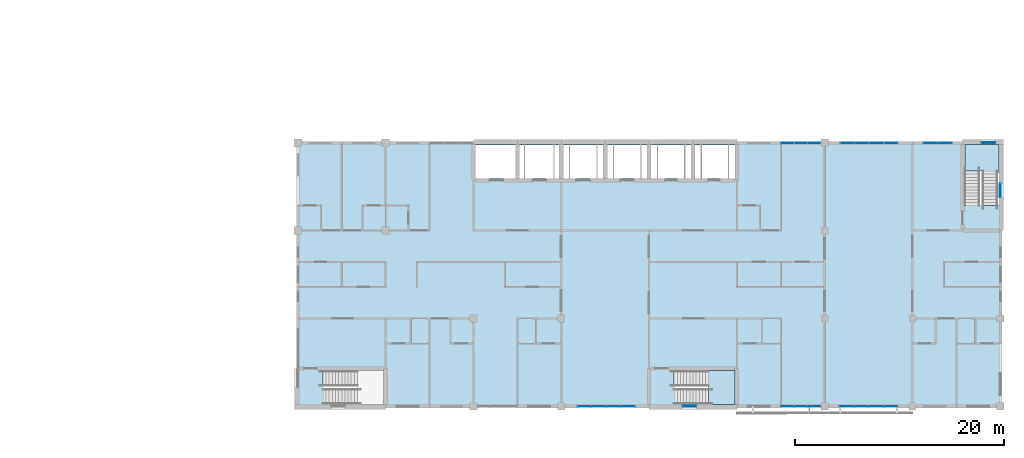
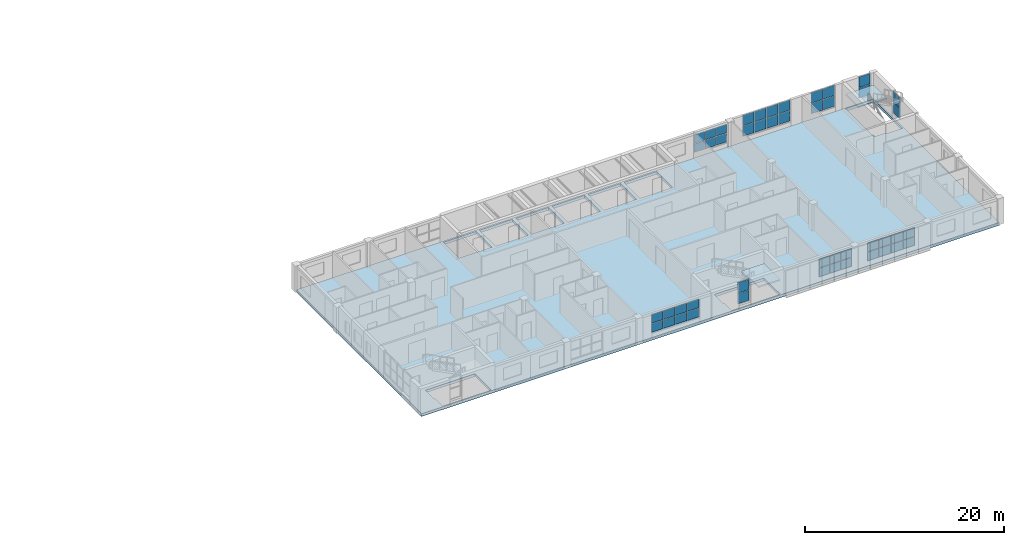
# One storey, part 25 of 48: 46 plates, 3 slabs, 11 elements without a shape of their own.
"""IFC4 building model written with IfcOpenShell, lengths in metres."""

from ifc_helpers import new_model, si_unit, direction, frame, origin, origin_2d, place, context, subcontext, project, spatial, polyline, rectangle, outline, extrude, material, layer, layer_set, type_object, element, aggregate, save


model = new_model("IFC4")

# Units and contexts
model_context = context("Model", 3, precision=1e-05, world=origin(), true_north=direction((0.0, 1.0)))
body_context = subcontext(model_context, "Body", "Model", "MODEL_VIEW")
ifc_project = project(units=[si_unit("LENGTHUNIT", "METRE"), si_unit("AREAUNIT", "SQUARE_METRE"), si_unit("VOLUMEUNIT", "CUBIC_METRE"), si_unit("PLANEANGLEUNIT", "RADIAN"), si_unit("MASSUNIT", "GRAM", prefix="KILO")], contexts=[model_context])

# Site, building, storey
site_placement = place(None, origin())
site = spatial("IfcSite", under=ifc_project, at=site_placement, CompositionType="ELEMENT")
building_placement = place(site_placement, origin())
building = spatial("IfcBuilding", under=site, at=building_placement, Name="Yavir Park General Hospital", CompositionType="ELEMENT")
storey_placement = place(building_placement, frame((0.0, 0.0, 26.10009765625)))
storey = spatial("IfcBuildingStorey", under=building, at=storey_placement, Name="L06", CompositionType="ELEMENT", Elevation=26.10009765625)

# Curtain wall, plates
ifc_material_1 = material(Name="Aluminium curtain wall frame with insulated glazing", Category="aluminium")
curtain_wall_type_1 = type_object("IfcCurtainWallType", Name="Day room pocket glazing, ward floors, 2300 high, 1400 module", PredefinedType="NOTDEFINED", material=ifc_material_1)
curtain_wall_1_placement = place(storey_placement, origin())
curtain_wall_1 = element("IfcCurtainWall", 1, at=curtain_wall_1_placement, inside=storey, type_object=curtain_wall_type_1, Name="CW63 L06-006", PredefinedType="NOTDEFINED")
ifc_material_2 = material(Name="Insulated glazed unit 30 mm, low-e coating")
ifc_layer_1 = layer(ifc_material_2, 0.030029296875)
ifc_layer_set_1 = layer_set([ifc_layer_1], Name="Insulated glazed unit 30 mm, low-e coating")
plate_type_1 = type_object("IfcPlateType", Name="Day room pocket glazing, ward floors, 2300 high panel 30", PredefinedType="CURTAIN_PANEL", material=ifc_layer_set_1)
plate_1_placement = place(storey_placement, frame((128.215087890625, 0.0, 0.659912109375), z_axis=(0.0, 0.0, 1.0), x_axis=(1.0, 0.0, 0.0)))
plate_1 = element("IfcPlate", 2, at=plate_1_placement, type_object=plate_type_1, Name="CW63 panel 1.1", PredefinedType="CURTAIN_PANEL", context=body_context, shape_type="SweptSolid", body=[
    extrude(rectangle(XDim=1.31005859375, YDim=0.030029296875, at=origin_2d()), origin(), (0.0, 0.0, 1.0), 1.06005859375),
])
plate_2_placement = place(storey_placement, frame((128.215087890625, 0.0, 1.77978515625), z_axis=(0.0, 0.0, 1.0), x_axis=(1.0, 0.0, 0.0)))
plate_2 = element("IfcPlate", 3, at=plate_2_placement, type_object=plate_type_1, Name="CW63 panel 1.2", PredefinedType="CURTAIN_PANEL", context=body_context, shape_type="SweptSolid", body=[
    extrude(rectangle(XDim=1.31005859375, YDim=0.030029296875, at=origin_2d()), origin(), (0.0, 0.0, 1.0), 1.06005859375),
])
plate_3_placement = place(storey_placement, frame((129.60009765625, 0.0, 0.659912109375), z_axis=(0.0, 0.0, 1.0), x_axis=(1.0, 0.0, 0.0)))
plate_3 = element("IfcPlate", 4, at=plate_3_placement, type_object=plate_type_1, Name="CW63 panel 2.1", PredefinedType="CURTAIN_PANEL", context=body_context, shape_type="SweptSolid", body=[
    extrude(rectangle(XDim=1.340087890625, YDim=0.030029296875, at=origin_2d()), origin(), (0.0, 0.0, 1.0), 1.06005859375),
])
plate_4_placement = place(storey_placement, frame((129.60009765625, 0.0, 1.77978515625), z_axis=(0.0, 0.0, 1.0), x_axis=(1.0, 0.0, 0.0)))
plate_4 = element("IfcPlate", 5, at=plate_4_placement, type_object=plate_type_1, Name="CW63 panel 2.2", PredefinedType="CURTAIN_PANEL", context=body_context, shape_type="SweptSolid", body=[
    extrude(rectangle(XDim=1.340087890625, YDim=0.030029296875, at=origin_2d()), origin(), (0.0, 0.0, 1.0), 1.06005859375),
])
plate_5_placement = place(storey_placement, frame((131.0, 0.0, 0.659912109375), z_axis=(0.0, 0.0, 1.0), x_axis=(1.0, 0.0, 0.0)))
plate_5 = element("IfcPlate", 6, at=plate_5_placement, type_object=plate_type_1, Name="CW63 panel 3.1", PredefinedType="CURTAIN_PANEL", context=body_context, shape_type="SweptSolid", body=[
    extrude(rectangle(XDim=1.340087890625, YDim=0.030029296875, at=origin_2d()), origin(), (0.0, 0.0, 1.0), 1.06005859375),
])
plate_6_placement = place(storey_placement, frame((131.0, 0.0, 1.77978515625), z_axis=(0.0, 0.0, 1.0), x_axis=(1.0, 0.0, 0.0)))
plate_6 = element("IfcPlate", 7, at=plate_6_placement, type_object=plate_type_1, Name="CW63 panel 3.2", PredefinedType="CURTAIN_PANEL", context=body_context, shape_type="SweptSolid", body=[
    extrude(rectangle(XDim=1.340087890625, YDim=0.030029296875, at=origin_2d()), origin(), (0.0, 0.0, 1.0), 1.06005859375),
])
plate_7_placement = place(storey_placement, frame((132.385009765625, 0.0, 0.659912109375), z_axis=(0.0, 0.0, 1.0), x_axis=(1.0, 0.0, 0.0)))
plate_7 = element("IfcPlate", 8, at=plate_7_placement, type_object=plate_type_1, Name="CW63 panel 4.1", PredefinedType="CURTAIN_PANEL", context=body_context, shape_type="SweptSolid", body=[
    extrude(rectangle(XDim=1.31005859375, YDim=0.030029296875, at=origin_2d()), origin(), (0.0, 0.0, 1.0), 1.06005859375),
])
plate_8_placement = place(storey_placement, frame((132.385009765625, 0.0, 1.77978515625), z_axis=(0.0, 0.0, 1.0), x_axis=(1.0, 0.0, 0.0)))
plate_8 = element("IfcPlate", 9, at=plate_8_placement, type_object=plate_type_1, Name="CW63 panel 4.2", PredefinedType="CURTAIN_PANEL", context=body_context, shape_type="SweptSolid", body=[
    extrude(rectangle(XDim=1.31005859375, YDim=0.030029296875, at=origin_2d()), origin(), (0.0, 0.0, 1.0), 1.06005859375),
])
aggregate(curtain_wall_1, [plate_1, plate_2, plate_3, plate_4, plate_5, plate_6, plate_7, plate_8])

curtain_wall_2_placement = place(storey_placement, origin())
curtain_wall_2 = element("IfcCurtainWall", 10, at=curtain_wall_2_placement, inside=storey, type_object=curtain_wall_type_1, Name="CW63 L06-008", PredefinedType="NOTDEFINED")
plate_9_placement = place(storey_placement, frame((147.65673828125, 0.0, 0.659912109375), z_axis=(0.0, 0.0, 1.0), x_axis=(1.0, 0.0, 0.0)))
plate_9 = element("IfcPlate", 11, at=plate_9_placement, type_object=plate_type_1, Name="CW63 panel 1.1", PredefinedType="CURTAIN_PANEL", context=body_context, shape_type="SweptSolid", body=[
    extrude(rectangle(XDim=1.193359375, YDim=0.030029296875, at=origin_2d()), origin(), (0.0, 0.0, 1.0), 1.06005859375),
])
plate_10_placement = place(storey_placement, frame((147.65673828125, 0.0, 1.77978515625), z_axis=(0.0, 0.0, 1.0), x_axis=(1.0, 0.0, 0.0)))
plate_10 = element("IfcPlate", 12, at=plate_10_placement, type_object=plate_type_1, Name="CW63 panel 1.2", PredefinedType="CURTAIN_PANEL", context=body_context, shape_type="SweptSolid", body=[
    extrude(rectangle(XDim=1.193359375, YDim=0.030029296875, at=origin_2d()), origin(), (0.0, 0.0, 1.0), 1.06005859375),
])
plate_11_placement = place(storey_placement, frame((148.925048828125, 0.0, 0.659912109375), z_axis=(0.0, 0.0, 1.0), x_axis=(1.0, 0.0, 0.0)))
plate_11 = element("IfcPlate", 13, at=plate_11_placement, type_object=plate_type_1, Name="CW63 panel 2.1", PredefinedType="CURTAIN_PANEL", context=body_context, shape_type="SweptSolid", body=[
    extrude(rectangle(XDim=1.223388671875, YDim=0.030029296875, at=origin_2d()), origin(), (0.0, 0.0, 1.0), 1.06005859375),
])
plate_12_placement = place(storey_placement, frame((148.925048828125, 0.0, 1.77978515625), z_axis=(0.0, 0.0, 1.0), x_axis=(1.0, 0.0, 0.0)))
plate_12 = element("IfcPlate", 14, at=plate_12_placement, type_object=plate_type_1, Name="CW63 panel 2.2", PredefinedType="CURTAIN_PANEL", context=body_context, shape_type="SweptSolid", body=[
    extrude(rectangle(XDim=1.223388671875, YDim=0.030029296875, at=origin_2d()), origin(), (0.0, 0.0, 1.0), 1.06005859375),
])
plate_13_placement = place(storey_placement, frame((150.193359375, 0.0, 0.659912109375), z_axis=(0.0, 0.0, 1.0), x_axis=(1.0, 0.0, 0.0)))
plate_13 = element("IfcPlate", 15, at=plate_13_placement, type_object=plate_type_1, Name="CW63 panel 3.1", PredefinedType="CURTAIN_PANEL", context=body_context, shape_type="SweptSolid", body=[
    extrude(rectangle(XDim=1.193359375, YDim=0.030029296875, at=origin_2d()), origin(), (0.0, 0.0, 1.0), 1.06005859375),
])
plate_14_placement = place(storey_placement, frame((150.193359375, 0.0, 1.77978515625), z_axis=(0.0, 0.0, 1.0), x_axis=(1.0, 0.0, 0.0)))
plate_14 = element("IfcPlate", 16, at=plate_14_placement, type_object=plate_type_1, Name="CW63 panel 3.2", PredefinedType="CURTAIN_PANEL", context=body_context, shape_type="SweptSolid", body=[
    extrude(rectangle(XDim=1.193359375, YDim=0.030029296875, at=origin_2d()), origin(), (0.0, 0.0, 1.0), 1.06005859375),
])
aggregate(curtain_wall_2, [plate_9, plate_10, plate_11, plate_12, plate_13, plate_14])

curtain_wall_3_placement = place(storey_placement, origin())
curtain_wall_3 = element("IfcCurtainWall", 17, at=curtain_wall_3_placement, inside=storey, type_object=curtain_wall_type_1, Name="CW63 L06-009", PredefinedType="NOTDEFINED")
plate_15_placement = place(storey_placement, frame((153.31494140625, 0.0, 0.659912109375), z_axis=(0.0, 0.0, 1.0), x_axis=(1.0, 0.0, 0.0)))
plate_15 = element("IfcPlate", 18, at=plate_15_placement, type_object=plate_type_1, Name="CW63 panel 1.1", PredefinedType="CURTAIN_PANEL", context=body_context, shape_type="SweptSolid", body=[
    extrude(rectangle(XDim=1.31005859375, YDim=0.030029296875, at=origin_2d()), origin(), (0.0, 0.0, 1.0), 1.06005859375),
])
plate_16_placement = place(storey_placement, frame((153.31494140625, 0.0, 1.77978515625), z_axis=(0.0, 0.0, 1.0), x_axis=(1.0, 0.0, 0.0)))
plate_16 = element("IfcPlate", 19, at=plate_16_placement, type_object=plate_type_1, Name="CW63 panel 1.2", PredefinedType="CURTAIN_PANEL", context=body_context, shape_type="SweptSolid", body=[
    extrude(rectangle(XDim=1.31005859375, YDim=0.030029296875, at=origin_2d()), origin(), (0.0, 0.0, 1.0), 1.06005859375),
])
plate_17_placement = place(storey_placement, frame((154.699951171875, 0.0, 0.659912109375), z_axis=(0.0, 0.0, 1.0), x_axis=(1.0, 0.0, 0.0)))
plate_17 = element("IfcPlate", 20, at=plate_17_placement, type_object=plate_type_1, Name="CW63 panel 2.1", PredefinedType="CURTAIN_PANEL", context=body_context, shape_type="SweptSolid", body=[
    extrude(rectangle(XDim=1.340087890625, YDim=0.030029296875, at=origin_2d()), origin(), (0.0, 0.0, 1.0), 1.06005859375),
])
plate_18_placement = place(storey_placement, frame((154.699951171875, 0.0, 1.77978515625), z_axis=(0.0, 0.0, 1.0), x_axis=(1.0, 0.0, 0.0)))
plate_18 = element("IfcPlate", 21, at=plate_18_placement, type_object=plate_type_1, Name="CW63 panel 2.2", PredefinedType="CURTAIN_PANEL", context=body_context, shape_type="SweptSolid", body=[
    extrude(rectangle(XDim=1.340087890625, YDim=0.030029296875, at=origin_2d()), origin(), (0.0, 0.0, 1.0), 1.06005859375),
])
plate_19_placement = place(storey_placement, frame((156.10009765625, 0.0, 0.659912109375), z_axis=(0.0, 0.0, 1.0), x_axis=(1.0, 0.0, 0.0)))
plate_19 = element("IfcPlate", 22, at=plate_19_placement, type_object=plate_type_1, Name="CW63 panel 3.1", PredefinedType="CURTAIN_PANEL", context=body_context, shape_type="SweptSolid", body=[
    extrude(rectangle(XDim=1.340087890625, YDim=0.030029296875, at=origin_2d()), origin(), (0.0, 0.0, 1.0), 1.06005859375),
])
plate_20_placement = place(storey_placement, frame((156.10009765625, 0.0, 1.77978515625), z_axis=(0.0, 0.0, 1.0), x_axis=(1.0, 0.0, 0.0)))
plate_20 = element("IfcPlate", 23, at=plate_20_placement, type_object=plate_type_1, Name="CW63 panel 3.2", PredefinedType="CURTAIN_PANEL", context=body_context, shape_type="SweptSolid", body=[
    extrude(rectangle(XDim=1.340087890625, YDim=0.030029296875, at=origin_2d()), origin(), (0.0, 0.0, 1.0), 1.06005859375),
])
plate_21_placement = place(storey_placement, frame((157.485107421875, 0.0, 0.659912109375), z_axis=(0.0, 0.0, 1.0), x_axis=(1.0, 0.0, 0.0)))
plate_21 = element("IfcPlate", 24, at=plate_21_placement, type_object=plate_type_1, Name="CW63 panel 4.1", PredefinedType="CURTAIN_PANEL", context=body_context, shape_type="SweptSolid", body=[
    extrude(rectangle(XDim=1.31005859375, YDim=0.030029296875, at=origin_2d()), origin(), (0.0, 0.0, 1.0), 1.06005859375),
])
plate_22_placement = place(storey_placement, frame((157.485107421875, 0.0, 1.77978515625), z_axis=(0.0, 0.0, 1.0), x_axis=(1.0, 0.0, 0.0)))
plate_22 = element("IfcPlate", 25, at=plate_22_placement, type_object=plate_type_1, Name="CW63 panel 4.2", PredefinedType="CURTAIN_PANEL", context=body_context, shape_type="SweptSolid", body=[
    extrude(rectangle(XDim=1.31005859375, YDim=0.030029296875, at=origin_2d()), origin(), (0.0, 0.0, 1.0), 1.06005859375),
])
aggregate(curtain_wall_3, [plate_15, plate_16, plate_17, plate_18, plate_19, plate_20, plate_21, plate_22])

curtain_wall_4_placement = place(storey_placement, origin())
curtain_wall_4 = element("IfcCurtainWall", 26, at=curtain_wall_4_placement, inside=storey, type_object=curtain_wall_type_1, Name="CW63 L06-012", PredefinedType="NOTDEFINED")
plate_23_placement = place(storey_placement, frame((147.65673828125, 25.199951171875, 0.659912109375), z_axis=(0.0, 0.0, 1.0), x_axis=(1.0, 0.0, 0.0)))
plate_23 = element("IfcPlate", 27, at=plate_23_placement, type_object=plate_type_1, Name="CW63 panel 1.1", PredefinedType="CURTAIN_PANEL", context=body_context, shape_type="SweptSolid", body=[
    extrude(rectangle(XDim=1.193359375, YDim=0.030029296875, at=origin_2d()), origin(), (0.0, 0.0, 1.0), 1.06005859375),
])
plate_24_placement = place(storey_placement, frame((147.65673828125, 25.199951171875, 1.77978515625), z_axis=(0.0, 0.0, 1.0), x_axis=(1.0, 0.0, 0.0)))
plate_24 = element("IfcPlate", 28, at=plate_24_placement, type_object=plate_type_1, Name="CW63 panel 1.2", PredefinedType="CURTAIN_PANEL", context=body_context, shape_type="SweptSolid", body=[
    extrude(rectangle(XDim=1.193359375, YDim=0.030029296875, at=origin_2d()), origin(), (0.0, 0.0, 1.0), 1.06005859375),
])
plate_25_placement = place(storey_placement, frame((148.925048828125, 25.199951171875, 0.659912109375), z_axis=(0.0, 0.0, 1.0), x_axis=(1.0, 0.0, 0.0)))
plate_25 = element("IfcPlate", 29, at=plate_25_placement, type_object=plate_type_1, Name="CW63 panel 2.1", PredefinedType="CURTAIN_PANEL", context=body_context, shape_type="SweptSolid", body=[
    extrude(rectangle(XDim=1.223388671875, YDim=0.030029296875, at=origin_2d()), origin(), (0.0, 0.0, 1.0), 1.06005859375),
])
plate_26_placement = place(storey_placement, frame((148.925048828125, 25.199951171875, 1.77978515625), z_axis=(0.0, 0.0, 1.0), x_axis=(1.0, 0.0, 0.0)))
plate_26 = element("IfcPlate", 30, at=plate_26_placement, type_object=plate_type_1, Name="CW63 panel 2.2", PredefinedType="CURTAIN_PANEL", context=body_context, shape_type="SweptSolid", body=[
    extrude(rectangle(XDim=1.223388671875, YDim=0.030029296875, at=origin_2d()), origin(), (0.0, 0.0, 1.0), 1.06005859375),
])
plate_27_placement = place(storey_placement, frame((150.193359375, 25.199951171875, 0.659912109375), z_axis=(0.0, 0.0, 1.0), x_axis=(1.0, 0.0, 0.0)))
plate_27 = element("IfcPlate", 31, at=plate_27_placement, type_object=plate_type_1, Name="CW63 panel 3.1", PredefinedType="CURTAIN_PANEL", context=body_context, shape_type="SweptSolid", body=[
    extrude(rectangle(XDim=1.193359375, YDim=0.030029296875, at=origin_2d()), origin(), (0.0, 0.0, 1.0), 1.06005859375),
])
plate_28_placement = place(storey_placement, frame((150.193359375, 25.199951171875, 1.77978515625), z_axis=(0.0, 0.0, 1.0), x_axis=(1.0, 0.0, 0.0)))
plate_28 = element("IfcPlate", 32, at=plate_28_placement, type_object=plate_type_1, Name="CW63 panel 3.2", PredefinedType="CURTAIN_PANEL", context=body_context, shape_type="SweptSolid", body=[
    extrude(rectangle(XDim=1.193359375, YDim=0.030029296875, at=origin_2d()), origin(), (0.0, 0.0, 1.0), 1.06005859375),
])
aggregate(curtain_wall_4, [plate_23, plate_24, plate_25, plate_26, plate_27, plate_28])

ifc_material_3 = material(Name="Aluminium curtain wall frame with insulated glazing", Category="aluminium")
curtain_wall_type_2 = type_object("IfcCurtainWallType", Name="Day room pocket glazing, ward floors, 2700 high, 1400 module", PredefinedType="NOTDEFINED", material=ifc_material_3)
curtain_wall_5_placement = place(storey_placement, origin())
curtain_wall_5 = element("IfcCurtainWall", 33, at=curtain_wall_5_placement, inside=storey, type_object=curtain_wall_type_2, Name="CW65 L06-013", PredefinedType="NOTDEFINED")
ifc_material_4 = material(Name="Insulated glazed unit 30 mm, low-e coating")
ifc_layer_2 = layer(ifc_material_4, 0.030029296875)
ifc_layer_set_2 = layer_set([ifc_layer_2], Name="Insulated glazed unit 30 mm, low-e coating")
plate_type_2 = type_object("IfcPlateType", Name="Day room pocket glazing, ward floors, 2700 high panel 30", PredefinedType="CURTAIN_PANEL", material=ifc_layer_set_2)
plate_29_placement = place(storey_placement, frame((153.364990234375, 25.199951171875, 0.65966796875), z_axis=(0.0, 0.0, 1.0), x_axis=(1.0, 0.0, 0.0)))
plate_29 = element("IfcPlate", 34, at=plate_29_placement, type_object=plate_type_2, Name="CW65 panel 1.1", PredefinedType="CURTAIN_PANEL", context=body_context, shape_type="SweptSolid", body=[
    extrude(rectangle(XDim=1.31005859375, YDim=0.030029296875, at=origin_2d()), origin(), (0.0, 0.0, 1.0), 1.260009765625),
])
plate_30_placement = place(storey_placement, frame((153.364990234375, 25.199951171875, 1.97998046875), z_axis=(0.0, 0.0, 1.0), x_axis=(1.0, 0.0, 0.0)))
plate_30 = element("IfcPlate", 35, at=plate_30_placement, type_object=plate_type_2, Name="CW65 panel 1.2", PredefinedType="CURTAIN_PANEL", context=body_context, shape_type="SweptSolid", body=[
    extrude(rectangle(XDim=1.31005859375, YDim=0.030029296875, at=origin_2d()), origin(), (0.0, 0.0, 1.0), 1.260009765625),
])
plate_31_placement = place(storey_placement, frame((154.75, 25.199951171875, 0.65966796875), z_axis=(0.0, 0.0, 1.0), x_axis=(1.0, 0.0, 0.0)))
plate_31 = element("IfcPlate", 36, at=plate_31_placement, type_object=plate_type_2, Name="CW65 panel 2.1", PredefinedType="CURTAIN_PANEL", context=body_context, shape_type="SweptSolid", body=[
    extrude(rectangle(XDim=1.340087890625, YDim=0.030029296875, at=origin_2d()), origin(), (0.0, 0.0, 1.0), 1.260009765625),
])
plate_32_placement = place(storey_placement, frame((154.75, 25.199951171875, 1.97998046875), z_axis=(0.0, 0.0, 1.0), x_axis=(1.0, 0.0, 0.0)))
plate_32 = element("IfcPlate", 37, at=plate_32_placement, type_object=plate_type_2, Name="CW65 panel 2.2", PredefinedType="CURTAIN_PANEL", context=body_context, shape_type="SweptSolid", body=[
    extrude(rectangle(XDim=1.340087890625, YDim=0.030029296875, at=origin_2d()), origin(), (0.0, 0.0, 1.0), 1.260009765625),
])
plate_33_placement = place(storey_placement, frame((156.14990234375, 25.199951171875, 0.65966796875), z_axis=(0.0, 0.0, 1.0), x_axis=(1.0, 0.0, 0.0)))
plate_33 = element("IfcPlate", 38, at=plate_33_placement, type_object=plate_type_2, Name="CW65 panel 3.1", PredefinedType="CURTAIN_PANEL", context=body_context, shape_type="SweptSolid", body=[
    extrude(rectangle(XDim=1.340087890625, YDim=0.030029296875, at=origin_2d()), origin(), (0.0, 0.0, 1.0), 1.260009765625),
])
plate_34_placement = place(storey_placement, frame((156.14990234375, 25.199951171875, 1.97998046875), z_axis=(0.0, 0.0, 1.0), x_axis=(1.0, 0.0, 0.0)))
plate_34 = element("IfcPlate", 39, at=plate_34_placement, type_object=plate_type_2, Name="CW65 panel 3.2", PredefinedType="CURTAIN_PANEL", context=body_context, shape_type="SweptSolid", body=[
    extrude(rectangle(XDim=1.340087890625, YDim=0.030029296875, at=origin_2d()), origin(), (0.0, 0.0, 1.0), 1.260009765625),
])
plate_35_placement = place(storey_placement, frame((157.534912109375, 25.199951171875, 0.65966796875), z_axis=(0.0, 0.0, 1.0), x_axis=(1.0, 0.0, 0.0)))
plate_35 = element("IfcPlate", 40, at=plate_35_placement, type_object=plate_type_2, Name="CW65 panel 4.1", PredefinedType="CURTAIN_PANEL", context=body_context, shape_type="SweptSolid", body=[
    extrude(rectangle(XDim=1.31005859375, YDim=0.030029296875, at=origin_2d()), origin(), (0.0, 0.0, 1.0), 1.260009765625),
])
plate_36_placement = place(storey_placement, frame((157.534912109375, 25.199951171875, 1.97998046875), z_axis=(0.0, 0.0, 1.0), x_axis=(1.0, 0.0, 0.0)))
plate_36 = element("IfcPlate", 41, at=plate_36_placement, type_object=plate_type_2, Name="CW65 panel 4.2", PredefinedType="CURTAIN_PANEL", context=body_context, shape_type="SweptSolid", body=[
    extrude(rectangle(XDim=1.31005859375, YDim=0.030029296875, at=origin_2d()), origin(), (0.0, 0.0, 1.0), 1.260009765625),
])
aggregate(curtain_wall_5, [plate_29, plate_30, plate_31, plate_32, plate_33, plate_34, plate_35, plate_36])

# Stair, slab
ifc_material_5 = material(Name="Concrete C30/37", Category="concrete")
stair_type = type_object("IfcStairType", Name="Patient escape stair, 24 risers of 150 mm, 1400 mm flights", PredefinedType="HALF_TURN_STAIR", material=ifc_material_5)
stair_1_placement = place(storey_placement, origin())
stair_1 = element("IfcStair", 42, at=stair_1_placement, inside=storey, type_object=stair_type, Name="Stair SU5, L06 to RF", PredefinedType="HALF_TURN_STAIR")
ifc_material_6 = material(Name="Concrete C30/37", Category="concrete")
ifc_layer_3 = layer(ifc_material_6, 0.159912109375)
ifc_layer_set_3 = layer_set([ifc_layer_3], Name="Concrete C30/37")
slab_type_1 = type_object("IfcSlabType", Name="Patient escape stair half landing, reinforced concrete 160 mm", PredefinedType="LANDING", material=ifc_layer_set_3)
slab_1_placement = place(storey_placement, frame((0.0, 0.0, 1.639892578125)))
slab_1 = element("IfcSlab", 43, at=slab_1_placement, type_object=slab_type_1, Name="SU5 landing 1", PredefinedType="LANDING", context=body_context, shape_type="SweptSolid", body=[
    extrude(outline(polyline([(140.098388671875, 0.14990234375), (142.60009765625, 0.14990234375), (142.60009765625, 3.39990234375), (139.949951171875, 3.39990234375), (139.949951171875, 1.949951171875), (140.098388671875, 1.949951171875), (140.098388671875, 0.14990234375)])), origin(), (0.0, 0.0, 1.0), 0.159912109375),
])
aggregate(stair_1, [slab_1])

stair_2_placement = place(storey_placement, origin())
stair_2 = element("IfcStair", 44, at=stair_2_placement, inside=storey, type_object=stair_type, Name="Stair SU6, L06 to RF", PredefinedType="HALF_TURN_STAIR")
slab_2_placement = place(storey_placement, frame((0.0, 0.0, 1.639892578125)))
slab_2 = element("IfcSlab", 45, at=slab_2_placement, type_object=slab_type_1, Name="SU6 landing 1", PredefinedType="LANDING", context=body_context, shape_type="SweptSolid", body=[
    extrude(outline(polyline([(164.60009765625, 22.49853515625), (164.60009765625, 25.050048828125), (167.85009765625, 25.050048828125), (167.85009765625, 22.35009765625), (166.300048828125, 22.35009765625), (166.300048828125, 22.49853515625), (164.60009765625, 22.49853515625)])), origin(), (0.0, 0.0, 1.0), 0.159912109375),
])
aggregate(stair_2, [slab_2])

# Slab
ifc_material_7 = material(Name="Concrete C35/45", Category="concrete")
ifc_layer_4 = layer(ifc_material_7, 0.340087890625)
ifc_layer_set_4 = layer_set([ifc_layer_4], Name="Concrete C35/45")
slab_type_2 = type_object("IfcSlabType", Name="RC SLAB FLOOR 340", PredefinedType="FLOOR", material=ifc_layer_set_4)
slab_3_placement = place(storey_placement, frame((0.0, 0.0, -0.340087890625)))
element("IfcSlab", 46, at=slab_3_placement, inside=storey, type_object=slab_type_2, Name="S:L06:1", PredefinedType="FLOOR", context=body_context, shape_type="SweptSolid", body=[
    extrude(outline(polyline([(100.800048828125, 25.199951171875), (100.800048828125, 0.0), (168.0, 0.0), (168.0, 25.199951171875), (100.800048828125, 25.199951171875)]), holes=[polyline([(117.800048828125, 21.800048828125), (117.800048828125, 25.0), (121.60009765625, 25.0), (121.60009765625, 21.800048828125), (117.800048828125, 21.800048828125)]), polyline([(122.0, 21.800048828125), (122.0, 25.0), (125.800048828125, 25.0), (125.800048828125, 21.800048828125), (122.0, 21.800048828125)]), polyline([(126.199951171875, 21.800048828125), (126.199951171875, 25.0), (130.0, 25.0), (130.0, 21.800048828125), (126.199951171875, 21.800048828125)]), polyline([(130.39990234375, 21.800048828125), (130.39990234375, 25.0), (134.199951171875, 25.0), (134.199951171875, 21.800048828125), (130.39990234375, 21.800048828125)]), polyline([(134.60009765625, 25.0), (138.39990234375, 25.0), (138.39990234375, 21.800048828125), (134.60009765625, 21.800048828125), (134.60009765625, 25.0)]), polyline([(138.800048828125, 25.0), (142.60009765625, 25.0), (142.60009765625, 21.800048828125), (138.800048828125, 21.800048828125), (138.800048828125, 25.0)]), polyline([(103.3515625, 1.64990234375), (103.201416015625, 1.64990234375), (103.201416015625, 3.39990234375), (109.0, 3.39990234375), (109.0, 0.14990234375), (103.3515625, 0.14990234375), (103.3515625, 1.64990234375)]), polyline([(136.801513671875, 3.39990234375), (142.60009765625, 3.39990234375), (142.60009765625, 0.14990234375), (136.951416015625, 0.14990234375), (136.951416015625, 1.64990234375), (136.801513671875, 1.64990234375), (136.801513671875, 3.39990234375)]), polyline([(166.0, 19.3515625), (164.60009765625, 19.3515625), (164.60009765625, 25.050048828125), (167.85009765625, 25.050048828125), (167.85009765625, 19.201416015625), (166.0, 19.201416015625), (166.0, 19.3515625)])]), origin(), (0.0, 0.0, 1.0), 0.340087890625),
])

# Curtain wall, plates
ifc_material_8 = material(Name="Aluminium curtain wall frame with insulated glazing", Category="aluminium")
curtain_wall_type_3 = type_object("IfcCurtainWallType", Name="Stair light slot, ward floors, 2700 high, 1400 module", PredefinedType="NOTDEFINED", material=ifc_material_8)
curtain_wall_6_placement = place(storey_placement, origin())
curtain_wall_6 = element("IfcCurtainWall", 47, at=curtain_wall_6_placement, inside=storey, type_object=curtain_wall_type_3, Name="CW64 L06-007", PredefinedType="NOTDEFINED")
ifc_material_9 = material(Name="Fire-resisting glazed unit 70 mm")
ifc_layer_5 = layer(ifc_material_9, 0.070068359375)
ifc_layer_set_5 = layer_set([ifc_layer_5], Name="Fire-resisting glazed unit 70 mm")
plate_type_3 = type_object("IfcPlateType", Name="Stair light slot, ward floors, 2700 high panel 70", PredefinedType="CURTAIN_PANEL", material=ifc_layer_set_5)
plate_37_placement = place(storey_placement, frame((138.25, 0.0, 0.64990234375), z_axis=(0.0, 0.0, 1.0), x_axis=(1.0, 0.0, 0.0)))
plate_37 = element("IfcPlate", 48, at=plate_37_placement, type_object=plate_type_3, Name="CW64 panel 1.1", PredefinedType="CURTAIN_PANEL", context=body_context, shape_type="SweptSolid", body=[
    extrude(rectangle(XDim=1.300048828125, YDim=0.070068359375, at=origin_2d()), origin(), (0.0, 0.0, 1.0), 1.27490234375),
])
plate_38_placement = place(storey_placement, frame((138.25, 0.0, 1.974853515625), z_axis=(0.0, 0.0, 1.0), x_axis=(1.0, 0.0, 0.0)))
plate_38 = element("IfcPlate", 49, at=plate_38_placement, type_object=plate_type_3, Name="CW64 panel 1.2", PredefinedType="CURTAIN_PANEL", context=body_context, shape_type="SweptSolid", body=[
    extrude(rectangle(XDim=1.300048828125, YDim=0.070068359375, at=origin_2d()), origin(), (0.0, 0.0, 1.0), 1.27490234375),
])
aggregate(curtain_wall_6, [plate_37, plate_38])

curtain_wall_7_placement = place(storey_placement, origin())
curtain_wall_7 = element("IfcCurtainWall", 50, at=curtain_wall_7_placement, inside=storey, type_object=curtain_wall_type_3, Name="CW64 L06-015", PredefinedType="NOTDEFINED")
plate_39_placement = place(storey_placement, frame((166.85009765625, 25.199951171875, 0.64990234375), z_axis=(0.0, 0.0, 1.0), x_axis=(1.0, 0.0, 0.0)))
plate_39 = element("IfcPlate", 51, at=plate_39_placement, type_object=plate_type_3, Name="CW64 panel 1.1", PredefinedType="CURTAIN_PANEL", context=body_context, shape_type="SweptSolid", body=[
    extrude(rectangle(XDim=1.300048828125, YDim=0.070068359375, at=origin_2d()), origin(), (0.0, 0.0, 1.0), 1.27490234375),
])
plate_40_placement = place(storey_placement, frame((166.85009765625, 25.199951171875, 1.974853515625), z_axis=(0.0, 0.0, 1.0), x_axis=(1.0, 0.0, 0.0)))
plate_40 = element("IfcPlate", 52, at=plate_40_placement, type_object=plate_type_3, Name="CW64 panel 1.2", PredefinedType="CURTAIN_PANEL", context=body_context, shape_type="SweptSolid", body=[
    extrude(rectangle(XDim=1.300048828125, YDim=0.070068359375, at=origin_2d()), origin(), (0.0, 0.0, 1.0), 1.27490234375),
])
aggregate(curtain_wall_7, [plate_39, plate_40])

curtain_wall_8_placement = place(storey_placement, origin())
curtain_wall_8 = element("IfcCurtainWall", 53, at=curtain_wall_8_placement, inside=storey, type_object=curtain_wall_type_3, Name="CW64 L06-031", PredefinedType="NOTDEFINED")
plate_41_placement = place(storey_placement, frame((168.0, 20.64990234375, 0.64990234375), z_axis=(0.0, 0.0, 1.0), x_axis=(0.0, 1.0, 0.0)))
plate_41 = element("IfcPlate", 54, at=plate_41_placement, type_object=plate_type_3, Name="CW64 panel 1.1", PredefinedType="CURTAIN_PANEL", context=body_context, shape_type="SweptSolid", body=[
    extrude(rectangle(XDim=1.300048828125, YDim=0.070068359375, at=origin_2d()), origin(), (0.0, 0.0, 1.0), 1.27490234375),
])
plate_42_placement = place(storey_placement, frame((168.0, 20.64990234375, 1.974853515625), z_axis=(0.0, 0.0, 1.0), x_axis=(0.0, 1.0, 0.0)))
plate_42 = element("IfcPlate", 55, at=plate_42_placement, type_object=plate_type_3, Name="CW64 panel 1.2", PredefinedType="CURTAIN_PANEL", context=body_context, shape_type="SweptSolid", body=[
    extrude(rectangle(XDim=1.300048828125, YDim=0.070068359375, at=origin_2d()), origin(), (0.0, 0.0, 1.0), 1.27490234375),
])
aggregate(curtain_wall_8, [plate_41, plate_42])

ifc_material_10 = material(Name="Aluminium curtain wall frame with insulated glazing", Category="aluminium")
curtain_wall_type_4 = type_object("IfcCurtainWallType", Name="Ward corridor end glazing, 2700 high, 1400 module", PredefinedType="NOTDEFINED", material=ifc_material_10)
curtain_wall_9_placement = place(storey_placement, origin())
curtain_wall_9 = element("IfcCurtainWall", 56, at=curtain_wall_9_placement, inside=storey, type_object=curtain_wall_type_4, Name="CW66 L06-014", PredefinedType="NOTDEFINED")
ifc_material_11 = material(Name="Insulated glazed unit 30 mm, low-e coating")
ifc_layer_6 = layer(ifc_material_11, 0.030029296875)
ifc_layer_set_6 = layer_set([ifc_layer_6], Name="Insulated glazed unit 30 mm, low-e coating")
plate_type_4 = type_object("IfcPlateType", Name="Ward corridor end glazing, 2700 high panel 30", PredefinedType="CURTAIN_PANEL", material=ifc_layer_set_6)
plate_43_placement = place(storey_placement, frame((161.3125, 25.199951171875, 0.64990234375), z_axis=(0.0, 0.0, 1.0), x_axis=(1.0, 0.0, 0.0)))
plate_43 = element("IfcPlate", 57, at=plate_43_placement, type_object=plate_type_4, Name="CW66 panel 1.1", PredefinedType="CURTAIN_PANEL", context=body_context, shape_type="SweptSolid", body=[
    extrude(rectangle(XDim=1.324951171875, YDim=0.030029296875, at=origin_2d()), origin(), (0.0, 0.0, 1.0), 1.27490234375),
])
plate_44_placement = place(storey_placement, frame((161.3125, 25.199951171875, 1.974853515625), z_axis=(0.0, 0.0, 1.0), x_axis=(1.0, 0.0, 0.0)))
plate_44 = element("IfcPlate", 58, at=plate_44_placement, type_object=plate_type_4, Name="CW66 panel 1.2", PredefinedType="CURTAIN_PANEL", context=body_context, shape_type="SweptSolid", body=[
    extrude(rectangle(XDim=1.324951171875, YDim=0.030029296875, at=origin_2d()), origin(), (0.0, 0.0, 1.0), 1.27490234375),
])
plate_45_placement = place(storey_placement, frame((162.6875, 25.199951171875, 0.64990234375), z_axis=(0.0, 0.0, 1.0), x_axis=(1.0, 0.0, 0.0)))
plate_45 = element("IfcPlate", 59, at=plate_45_placement, type_object=plate_type_4, Name="CW66 panel 2.1", PredefinedType="CURTAIN_PANEL", context=body_context, shape_type="SweptSolid", body=[
    extrude(rectangle(XDim=1.324951171875, YDim=0.030029296875, at=origin_2d()), origin(), (0.0, 0.0, 1.0), 1.27490234375),
])
plate_46_placement = place(storey_placement, frame((162.6875, 25.199951171875, 1.974853515625), z_axis=(0.0, 0.0, 1.0), x_axis=(1.0, 0.0, 0.0)))
plate_46 = element("IfcPlate", 60, at=plate_46_placement, type_object=plate_type_4, Name="CW66 panel 2.2", PredefinedType="CURTAIN_PANEL", context=body_context, shape_type="SweptSolid", body=[
    extrude(rectangle(XDim=1.324951171875, YDim=0.030029296875, at=origin_2d()), origin(), (0.0, 0.0, 1.0), 1.27490234375),
])
aggregate(curtain_wall_9, [plate_43, plate_44, plate_45, plate_46])

save(model, "model.ifc")
